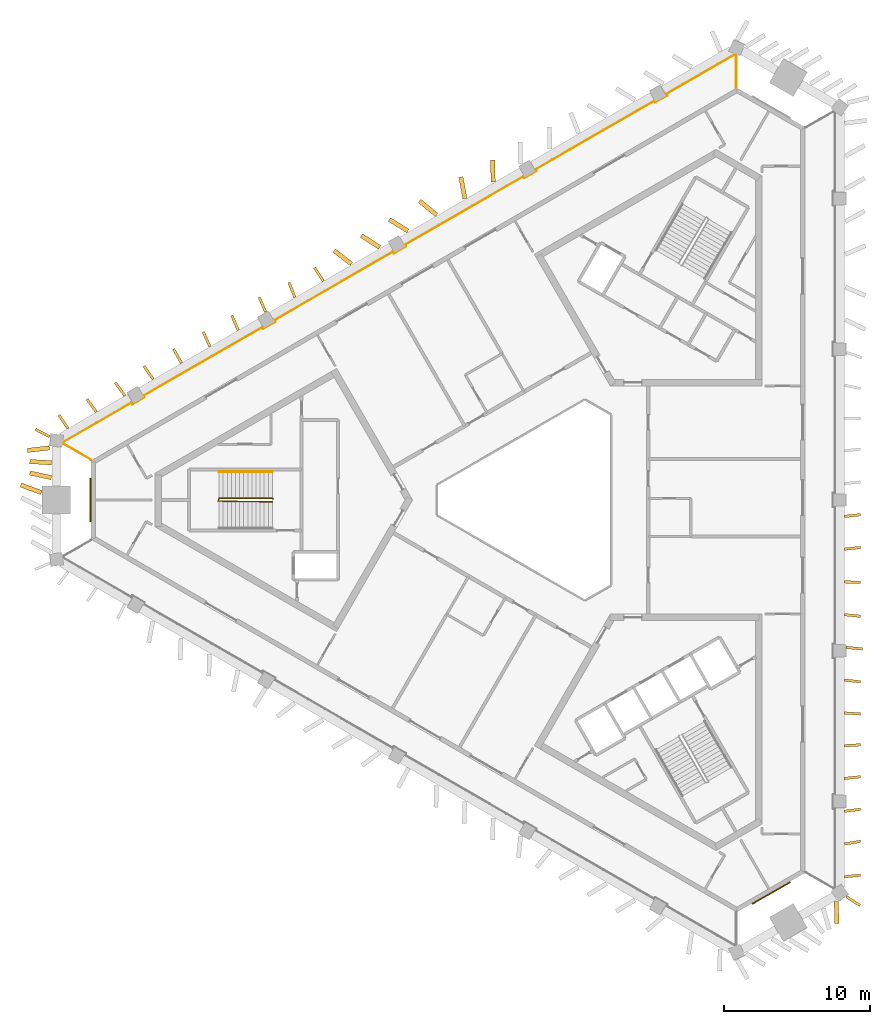
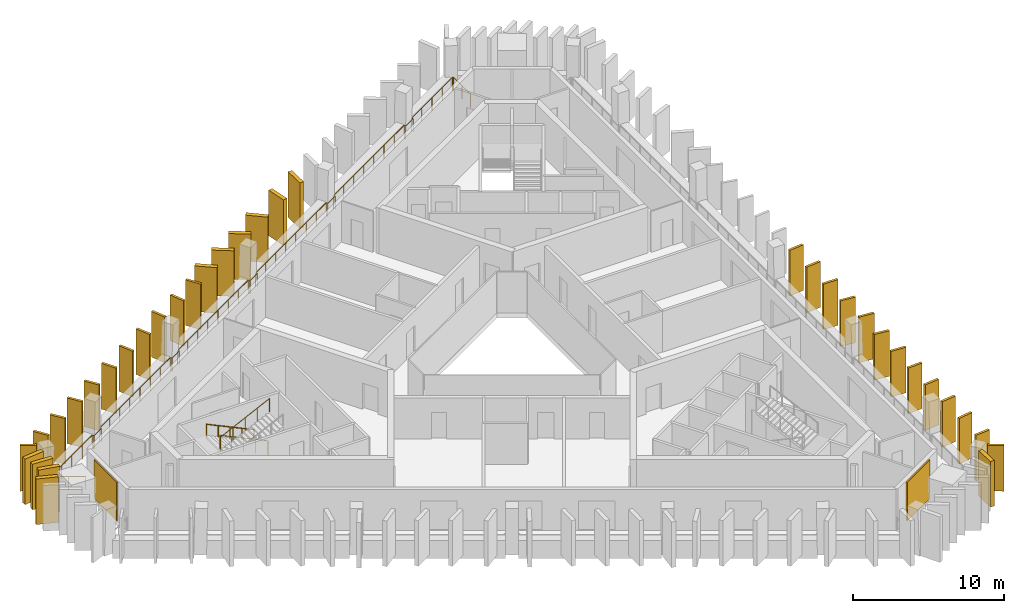
# One storey, part 8 of 9: 35 shading devices, 3 railings, 2 coverings.
"""IFC4 building model written with IfcOpenShell, lengths in metres."""

from ifc_helpers import new_model, si_unit, direction, frame, frame_2d, origin, origin_2d, place, context, subcontext, project, spatial, rectangle, circle, extrude, material, layer, layer_set, type_object, element, save


model = new_model("IFC4")

# Units and contexts
model_context = context("Model", 3, precision=1e-05, world=origin(), true_north=direction((0.0, 1.0)))
body_context = subcontext(model_context, "Body", "Model", "MODEL_VIEW")
ifc_project = project(units=[si_unit("LENGTHUNIT", "METRE"), si_unit("AREAUNIT", "SQUARE_METRE"), si_unit("VOLUMEUNIT", "CUBIC_METRE"), si_unit("PLANEANGLEUNIT", "RADIAN"), si_unit("MASSUNIT", "GRAM", prefix="KILO")], contexts=[model_context])

# Site, building, storey
site_placement = place(None, origin())
site = spatial("IfcSite", under=ifc_project, at=site_placement, CompositionType="ELEMENT")
building_placement = place(site_placement, origin())
building = spatial("IfcBuilding", under=site, at=building_placement, Name="Jabali Bay Hotel Tower and Convention Centre", CompositionType="ELEMENT")
storey_placement = place(building_placement, frame((0.0, 0.0, 220.60009765625)))
storey = spatial("IfcBuildingStorey", under=building, at=storey_placement, Name="L54", CompositionType="ELEMENT", Elevation=220.60009765625)

# Railing
ifc_material_1 = material(Name="Glass", Category="glass")
railing_type_1 = type_object("IfcRailingType", Name="Loggia glass guard 1100", PredefinedType="BALUSTRADE", material=ifc_material_1)
railing_1_placement = place(storey_placement, frame((44.04345703125, 82.740966796875, 0.0)))
element("IfcRailing", 1, at=railing_1_placement, inside=storey, type_object=railing_type_1, Name="Loggia glass guard L54", PredefinedType="BALUSTRADE", context=body_context, shape_type="SweptSolid", body=[
    extrude(circle(Radius=0.02490234375, at=origin_2d()), frame((0.0, 0.0, 1.0751953125), z_axis=(-0.866082486575, 0.499901116671, 0.0), x_axis=(-0.495624393318, -0.85867303084, 0.13052619222)), (0.0, 0.0, 1.0), 2.24755859375),
    extrude(circle(Radius=0.02490234375, at=origin_2d()), frame((-1.946533203125, 1.12353515625, 1.0751953125), z_axis=(0.120005554105, 0.99277322032, 0.0), x_axis=(-0.984279907796, 0.118978889953, 0.13052619222)), (0.0, 0.0, 1.0), 0.067138671875),
    extrude(circle(Radius=0.02490234375, at=origin_2d()), frame((-1.9384765625, 1.190185546875, 1.0751953125), z_axis=(0.866027681249, 0.499996055294, 0.0), x_axis=(-0.495718519729, 0.858618694382, 0.13052619222)), (0.0, 0.0, 1.0), 5.4326171875),
    extrude(circle(Radius=0.02490234375, at=origin_2d()), frame((2.766357421875, 3.906494140625, 1.0751953125), z_axis=(0.500342721131, -0.865827443207, 0.0), x_axis=(0.858420169404, 0.496062219791, 0.13052619222)), (0.0, 0.0, 1.0), 0.125),
    extrude(circle(Radius=0.02490234375, at=origin_2d()), frame((2.828857421875, 3.79833984375, 1.0751953125), z_axis=(0.866100000774, 0.49987077196, 0.0), x_axis=(-0.495594308211, 0.858690395203, 0.13052619222)), (0.0, 0.0, 1.0), 0.949951171875),
    extrude(circle(Radius=0.02490234375, at=origin_2d()), frame((3.651611328125, 4.273193359375, 1.0751953125), z_axis=(-0.499497219344, 0.8663154898, 0.0), x_axis=(-0.858904040691, -0.495223951389, 0.13052619222)), (0.0, 0.0, 1.0), 0.125244140625),
    extrude(circle(Radius=0.02490234375, at=origin_2d()), frame((3.589111328125, 4.381591796875, 1.0751953125), z_axis=(0.866030037437, 0.499991974193, 0.0), x_axis=(-0.495714473541, 0.858621030412, 0.13052619222)), (0.0, 0.0, 1.0), 9.357177734375),
    extrude(circle(Radius=0.02490234375, at=origin_2d()), frame((11.692626953125, 9.06005859375, 1.0751953125), z_axis=(0.500342721131, -0.865827443207, 0.0), x_axis=(0.858420169404, 0.496062219791, 0.13052619222)), (0.0, 0.0, 1.0), 0.125),
    extrude(circle(Radius=0.02490234375, at=origin_2d()), frame((11.755126953125, 8.951904296875, 1.0751953125), z_axis=(0.865988727248, 0.500063520245, 0.0), x_axis=(-0.495785407507, 0.858580073638, 0.13052619222)), (0.0, 0.0, 1.0), 0.9501953125),
    extrude(circle(Radius=0.02490234375, at=origin_2d()), frame((12.577880859375, 9.427001953125, 1.0751953125), z_axis=(-0.500342721131, 0.865827443207, 0.0), x_axis=(-0.858420169404, -0.496062219791, 0.13052619222)), (0.0, 0.0, 1.0), 0.125),
    extrude(circle(Radius=0.02490234375, at=origin_2d()), frame((12.515380859375, 9.53515625, 1.0751953125), z_axis=(0.866025262398, 0.500000244889, 0.0), x_axis=(-0.495722673481, 0.858616296224, 0.13052619222)), (0.0, 0.0, 1.0), 9.357421875),
    extrude(circle(Radius=0.02490234375, at=origin_2d()), frame((20.619140625, 14.2138671875, 1.0751953125), z_axis=(0.500342721131, -0.865827443207, 0.0), x_axis=(0.858420169404, 0.496062219791, 0.13052619222)), (0.0, 0.0, 1.0), 0.125),
    extrude(circle(Radius=0.02490234375, at=origin_2d()), frame((20.681640625, 14.105712890625, 1.0751953125), z_axis=(0.866100000774, 0.49987077196, 0.0), x_axis=(-0.495594308211, 0.858690395203, 0.13052619222)), (0.0, 0.0, 1.0), 0.949951171875),
    extrude(circle(Radius=0.02490234375, at=origin_2d()), frame((21.50439453125, 14.58056640625, 1.0751953125), z_axis=(-0.499497219344, 0.8663154898, 0.0), x_axis=(-0.858904040691, -0.495223951389, 0.13052619222)), (0.0, 0.0, 1.0), 0.125244140625),
    extrude(circle(Radius=0.02490234375, at=origin_2d()), frame((21.44189453125, 14.68896484375, 1.0751953125), z_axis=(0.866036559889, 0.499980676563, 0.0), x_axis=(-0.495703272564, 0.858627497064, 0.13052619222)), (0.0, 0.0, 1.0), 9.357177734375),
    extrude(circle(Radius=0.02490234375, at=origin_2d()), frame((29.545654296875, 19.367431640625, 1.0751953125), z_axis=(0.500342721131, -0.865827443207, 0.0), x_axis=(0.858420169404, 0.496062219791, 0.13052619222)), (0.0, 0.0, 1.0), 0.125),
    extrude(circle(Radius=0.02490234375, at=origin_2d()), frame((29.608154296875, 19.25927734375, 1.0751953125), z_axis=(0.865988727248, 0.500063520245, 0.0), x_axis=(-0.495785407507, 0.858580073638, 0.13052619222)), (0.0, 0.0, 1.0), 0.9501953125),
    extrude(circle(Radius=0.02490234375, at=origin_2d()), frame((30.430908203125, 19.734375, 1.0751953125), z_axis=(-0.500342721131, 0.865827443207, 0.0), x_axis=(-0.858420169404, -0.496062219791, 0.13052619222)), (0.0, 0.0, 1.0), 0.125),
    extrude(circle(Radius=0.02490234375, at=origin_2d()), frame((30.368408203125, 19.842529296875, 1.0751953125), z_axis=(0.866025262398, 0.500000244889, 0.0), x_axis=(-0.495722673481, 0.858616296224, 0.13052619222)), (0.0, 0.0, 1.0), 9.357421875),
    extrude(circle(Radius=0.02490234375, at=origin_2d()), frame((38.47216796875, 24.521240234375, 1.0751953125), z_axis=(0.500342721131, -0.865827443207, 0.0), x_axis=(0.858420169404, 0.496062219791, 0.13052619222)), (0.0, 0.0, 1.0), 0.125),
    extrude(circle(Radius=0.02490234375, at=origin_2d()), frame((38.53466796875, 24.4130859375, 1.0751953125), z_axis=(0.866035761792, 0.499982058975, 0.0), x_axis=(-0.49570464315, 0.858626705795, 0.13052619222)), (0.0, 0.0, 1.0), 0.94970703125),
    extrude(circle(Radius=0.02490234375, at=origin_2d()), frame((39.357177734375, 24.887939453125, 1.0751953125), z_axis=(-0.499497219344, 0.8663154898, 0.0), x_axis=(-0.858904040691, -0.495223951389, 0.13052619222)), (0.0, 0.0, 1.0), 0.125244140625),
    extrude(circle(Radius=0.02490234375, at=origin_2d()), frame((39.294677734375, 24.996337890625, 1.0751953125), z_axis=(0.866047140271, 0.499962349412, 0.0), x_axis=(-0.495685102204, 0.858637986929, 0.13052619222)), (0.0, 0.0, 1.0), 5.4326171875),
    extrude(circle(Radius=0.02490234375, at=origin_2d()), frame((43.99951171875, 27.71240234375, 1.0751953125), z_axis=(0.921017487124, -0.389521229732, 0.0), x_axis=(0.386188821614, 0.913138054844, 0.13052619222)), (0.0, 0.0, 1.0), 0.067138671875),
    extrude(circle(Radius=0.02490234375, at=origin_2d()), frame((44.061279296875, 27.686279296875, 1.0751953125), z_axis=(0.0, -1.0, 0.0), x_axis=(0.991444861374, 0.0, 0.13052619222)), (0.0, 0.0, 1.0), 2.24755859375),
    extrude(circle(Radius=0.02001953125, at=origin_2d()), origin(), (0.0, 0.0, 1.0), 1.050048828125),
    extrude(circle(Radius=0.02001953125, at=origin_2d()), frame((-0.97314453125, 0.561767578125, 0.0)), (0.0, 0.0, 1.0), 1.050048828125),
    extrude(circle(Radius=0.02001953125, at=origin_2d()), frame((-1.946533203125, 1.12353515625, 0.0)), (0.0, 0.0, 1.0), 1.050048828125),
    extrude(circle(Radius=0.02001953125, at=origin_2d()), frame((-1.9384765625, 1.190185546875, 0.0)), (0.0, 0.0, 1.0), 1.050048828125),
    extrude(circle(Radius=0.02001953125, at=origin_2d()), frame((-0.76220703125, 1.869140625, 0.0)), (0.0, 0.0, 1.0), 1.050048828125),
    extrude(circle(Radius=0.02001953125, at=origin_2d()), frame((0.4140625, 2.54833984375, 0.0)), (0.0, 0.0, 1.0), 1.050048828125),
    extrude(circle(Radius=0.02001953125, at=origin_2d()), frame((1.590087890625, 3.2275390625, 0.0)), (0.0, 0.0, 1.0), 1.050048828125),
    extrude(circle(Radius=0.02001953125, at=origin_2d()), frame((2.766357421875, 3.906494140625, 0.0)), (0.0, 0.0, 1.0), 1.050048828125),
    extrude(circle(Radius=0.02001953125, at=origin_2d()), frame((2.828857421875, 3.79833984375, 0.0)), (0.0, 0.0, 1.0), 1.050048828125),
    extrude(circle(Radius=0.02001953125, at=origin_2d()), frame((3.651611328125, 4.273193359375, 0.0)), (0.0, 0.0, 1.0), 1.050048828125),
    extrude(circle(Radius=0.02001953125, at=origin_2d()), frame((3.589111328125, 4.381591796875, 0.0)), (0.0, 0.0, 1.0), 1.050048828125),
    extrude(circle(Radius=0.02001953125, at=origin_2d()), frame((4.746826171875, 5.050048828125, 0.0)), (0.0, 0.0, 1.0), 1.050048828125),
    extrude(circle(Radius=0.02001953125, at=origin_2d()), frame((5.904296875, 5.71826171875, 0.0)), (0.0, 0.0, 1.0), 1.050048828125),
    extrude(circle(Radius=0.02001953125, at=origin_2d()), frame((7.06201171875, 6.38671875, 0.0)), (0.0, 0.0, 1.0), 1.050048828125),
    extrude(circle(Radius=0.02001953125, at=origin_2d()), frame((8.2197265625, 7.054931640625, 0.0)), (0.0, 0.0, 1.0), 1.050048828125),
    extrude(circle(Radius=0.02001953125, at=origin_2d()), frame((9.37744140625, 7.723388671875, 0.0)), (0.0, 0.0, 1.0), 1.050048828125),
    extrude(circle(Radius=0.02001953125, at=origin_2d()), frame((10.534912109375, 8.3916015625, 0.0)), (0.0, 0.0, 1.0), 1.050048828125),
    extrude(circle(Radius=0.02001953125, at=origin_2d()), frame((11.692626953125, 9.06005859375, 0.0)), (0.0, 0.0, 1.0), 1.050048828125),
    extrude(circle(Radius=0.02001953125, at=origin_2d()), frame((11.755126953125, 8.951904296875, 0.0)), (0.0, 0.0, 1.0), 1.050048828125),
    extrude(circle(Radius=0.02001953125, at=origin_2d()), frame((12.577880859375, 9.427001953125, 0.0)), (0.0, 0.0, 1.0), 1.050048828125),
    extrude(circle(Radius=0.02001953125, at=origin_2d()), frame((12.515380859375, 9.53515625, 0.0)), (0.0, 0.0, 1.0), 1.050048828125),
    extrude(circle(Radius=0.02001953125, at=origin_2d()), frame((13.673095703125, 10.20361328125, 0.0)), (0.0, 0.0, 1.0), 1.050048828125),
    extrude(circle(Radius=0.02001953125, at=origin_2d()), frame((14.830810546875, 10.871826171875, 0.0)), (0.0, 0.0, 1.0), 1.050048828125),
    extrude(circle(Radius=0.02001953125, at=origin_2d()), frame((15.988525390625, 11.540283203125, 0.0)), (0.0, 0.0, 1.0), 1.050048828125),
    extrude(circle(Radius=0.02001953125, at=origin_2d()), frame((17.14599609375, 12.208740234375, 0.0)), (0.0, 0.0, 1.0), 1.050048828125),
    extrude(circle(Radius=0.02001953125, at=origin_2d()), frame((18.3037109375, 12.877197265625, 0.0)), (0.0, 0.0, 1.0), 1.050048828125),
    extrude(circle(Radius=0.02001953125, at=origin_2d()), frame((19.46142578125, 13.54541015625, 0.0)), (0.0, 0.0, 1.0), 1.050048828125),
    extrude(circle(Radius=0.02001953125, at=origin_2d()), frame((20.619140625, 14.2138671875, 0.0)), (0.0, 0.0, 1.0), 1.050048828125),
    extrude(circle(Radius=0.02001953125, at=origin_2d()), frame((20.681640625, 14.105712890625, 0.0)), (0.0, 0.0, 1.0), 1.050048828125),
    extrude(circle(Radius=0.02001953125, at=origin_2d()), frame((21.50439453125, 14.58056640625, 0.0)), (0.0, 0.0, 1.0), 1.050048828125),
    extrude(circle(Radius=0.02001953125, at=origin_2d()), frame((21.44189453125, 14.68896484375, 0.0)), (0.0, 0.0, 1.0), 1.050048828125),
    extrude(circle(Radius=0.02001953125, at=origin_2d()), frame((22.599609375, 15.357421875, 0.0)), (0.0, 0.0, 1.0), 1.050048828125),
    extrude(circle(Radius=0.02001953125, at=origin_2d()), frame((23.75732421875, 16.025634765625, 0.0)), (0.0, 0.0, 1.0), 1.050048828125),
    extrude(circle(Radius=0.02001953125, at=origin_2d()), frame((24.9150390625, 16.694091796875, 0.0)), (0.0, 0.0, 1.0), 1.050048828125),
    extrude(circle(Radius=0.02001953125, at=origin_2d()), frame((26.072509765625, 17.3623046875, 0.0)), (0.0, 0.0, 1.0), 1.050048828125),
    extrude(circle(Radius=0.02001953125, at=origin_2d()), frame((27.230224609375, 18.03076171875, 0.0)), (0.0, 0.0, 1.0), 1.050048828125),
    extrude(circle(Radius=0.02001953125, at=origin_2d()), frame((28.387939453125, 18.698974609375, 0.0)), (0.0, 0.0, 1.0), 1.050048828125),
    extrude(circle(Radius=0.02001953125, at=origin_2d()), frame((29.545654296875, 19.367431640625, 0.0)), (0.0, 0.0, 1.0), 1.050048828125),
    extrude(circle(Radius=0.02001953125, at=origin_2d()), frame((29.608154296875, 19.25927734375, 0.0)), (0.0, 0.0, 1.0), 1.050048828125),
    extrude(circle(Radius=0.02001953125, at=origin_2d()), frame((30.430908203125, 19.734375, 0.0)), (0.0, 0.0, 1.0), 1.050048828125),
    extrude(circle(Radius=0.02001953125, at=origin_2d()), frame((30.368408203125, 19.842529296875, 0.0)), (0.0, 0.0, 1.0), 1.050048828125),
    extrude(circle(Radius=0.02001953125, at=origin_2d()), frame((31.526123046875, 20.510986328125, 0.0)), (0.0, 0.0, 1.0), 1.050048828125),
    extrude(circle(Radius=0.02001953125, at=origin_2d()), frame((32.683837890625, 21.17919921875, 0.0)), (0.0, 0.0, 1.0), 1.050048828125),
    extrude(circle(Radius=0.02001953125, at=origin_2d()), frame((33.841552734375, 21.84765625, 0.0)), (0.0, 0.0, 1.0), 1.050048828125),
    extrude(circle(Radius=0.02001953125, at=origin_2d()), frame((34.9990234375, 22.51611328125, 0.0)), (0.0, 0.0, 1.0), 1.050048828125),
    extrude(circle(Radius=0.02001953125, at=origin_2d()), frame((36.15673828125, 23.1845703125, 0.0)), (0.0, 0.0, 1.0), 1.050048828125),
    extrude(circle(Radius=0.02001953125, at=origin_2d()), frame((37.314453125, 23.852783203125, 0.0)), (0.0, 0.0, 1.0), 1.050048828125),
    extrude(circle(Radius=0.02001953125, at=origin_2d()), frame((38.47216796875, 24.521240234375, 0.0)), (0.0, 0.0, 1.0), 1.050048828125),
    extrude(circle(Radius=0.02001953125, at=origin_2d()), frame((38.53466796875, 24.4130859375, 0.0)), (0.0, 0.0, 1.0), 1.050048828125),
    extrude(circle(Radius=0.02001953125, at=origin_2d()), frame((39.357177734375, 24.887939453125, 0.0)), (0.0, 0.0, 1.0), 1.050048828125),
    extrude(circle(Radius=0.02001953125, at=origin_2d()), frame((39.294677734375, 24.996337890625, 0.0)), (0.0, 0.0, 1.0), 1.050048828125),
    extrude(circle(Radius=0.02001953125, at=origin_2d()), frame((40.470947265625, 25.67529296875, 0.0)), (0.0, 0.0, 1.0), 1.050048828125),
    extrude(circle(Radius=0.02001953125, at=origin_2d()), frame((41.64697265625, 26.3544921875, 0.0)), (0.0, 0.0, 1.0), 1.050048828125),
    extrude(circle(Radius=0.02001953125, at=origin_2d()), frame((42.8232421875, 27.033447265625, 0.0)), (0.0, 0.0, 1.0), 1.050048828125),
    extrude(circle(Radius=0.02001953125, at=origin_2d()), frame((43.99951171875, 27.71240234375, 0.0)), (0.0, 0.0, 1.0), 1.050048828125),
    extrude(circle(Radius=0.02001953125, at=origin_2d()), frame((44.061279296875, 27.686279296875, 0.0)), (0.0, 0.0, 1.0), 1.050048828125),
    extrude(circle(Radius=0.02001953125, at=origin_2d()), frame((44.061279296875, 26.5625, 0.0)), (0.0, 0.0, 1.0), 1.050048828125),
    extrude(circle(Radius=0.02001953125, at=origin_2d()), frame((44.061279296875, 25.438720703125, 0.0)), (0.0, 0.0, 1.0), 1.050048828125),
])

# Shading devices
ifc_material_2 = material(Name="Precast concrete C60", Category="concrete")
ifc_layer_1 = layer(ifc_material_2, 0.179931640625)
ifc_layer_set_1 = layer_set([ifc_layer_1], Name="Precast concrete C60")
shading_device_type_1 = type_object("IfcShadingDeviceType", Name="Precast fin 3680 x 1100", PredefinedType="USERDEFINED", material=ifc_layer_set_1)
for number, where, z_axis, x_axis, name in (
    (2, (95.503173828125, 54.265625, 0.010009765625), (0.0, 0.0, 1.0), (0.99532733104, 0.096558293712, 0.0), "Fin L54 000"),
    (3, (95.50927734375, 56.50341796875, 0.010009765625), (0.0, 0.0, 1.0), (0.986381923469, 0.164470973288, 0.0), "Fin L54 001"),
    (4, (95.50537109375, 58.7412109375, 0.010009765625), (0.0, 0.0, 1.0), (0.992602227992, 0.121411766259, 0.0), "Fin L54 002"),
    (5, (95.504150390625, 60.97900390625, 0.010009765625), (0.0, 0.0, 1.0), (0.994164661671, 0.107873191688, 0.0), "Fin L54 003"),
):
    element("IfcShadingDevice", number, at=place(storey_placement, frame(where, z_axis=z_axis, x_axis=x_axis)), inside=storey, type_object=shading_device_type_1, Name=name, ObjectType="FIN", PredefinedType="USERDEFINED", context=body_context, shape_type="SweptSolid", body=[
        extrude(rectangle(XDim=1.099853515625, YDim=0.179931640625, at=frame_2d((0.5498046875, 0.0))), origin(), (0.0, 0.0, 1.0), 3.679931640625),
    ])
shading_device_1_placement = place(storey_placement, frame((95.499267578125, 63.216796875, 0.010009765625), z_axis=(0.0, 0.0, 1.0), x_axis=(0.99848416118, 0.055039802617, 0.0)))
element("IfcShadingDevice", 6, at=shading_device_1_placement, inside=storey, type_object=shading_device_type_1, Name="Fin L54 004", ObjectType="FIN", PredefinedType="USERDEFINED", context=body_context, shape_type="SweptSolid", body=[
    extrude(rectangle(XDim=1.10009765625, YDim=0.179931640625, at=frame_2d((0.550048828125, 0.0))), origin(), (0.0, 0.0, 1.0), 3.679931640625),
])
shading_device_2_placement = place(storey_placement, frame((95.50048828125, 65.454345703125, 0.010009765625), z_axis=(0.0, 0.0, 1.0), x_axis=(0.997794969053, -0.066371678698, 0.0)))
element("IfcShadingDevice", 7, at=shading_device_2_placement, inside=storey, type_object=shading_device_type_1, Name="Fin L54 005", ObjectType="FIN", PredefinedType="USERDEFINED", context=body_context, shape_type="SweptSolid", body=[
    extrude(rectangle(XDim=1.099853515625, YDim=0.179931640625, at=frame_2d((0.5498046875, 0.0))), origin(), (0.0, 0.0, 1.0), 3.679931640625),
])
for number, where, z_axis, x_axis, name in (
    (8, (95.50341796875, 67.692138671875, 0.010009765625), (0.0, 0.0, 1.0), (0.994866565469, -0.101195439182, 0.0), "Fin L54 006"),
    (9, (95.635986328125, 69.929931640625, 0.010009765625), (0.0, 0.0, 1.0), (0.994888883713, -0.100975784539, 0.0), "Fin L54 007"),
    (10, (95.50341796875, 72.167724609375, 0.010009765625), (0.0, 0.0, 1.0), (0.994888883713, -0.100975784539, 0.0), "Fin L54 008"),
    (11, (95.496826171875, 74.405517578125, 0.010009765625), (0.0, 0.0, 1.0), (0.999656984491, -0.02618994764, 0.0), "Fin L54 009"),
):
    element("IfcShadingDevice", number, at=place(storey_placement, frame(where, z_axis=z_axis, x_axis=x_axis)), inside=storey, type_object=shading_device_type_1, Name=name, ObjectType="FIN", PredefinedType="USERDEFINED", context=body_context, shape_type="SweptSolid", body=[
        extrude(rectangle(XDim=1.10009765625, YDim=0.179931640625, at=frame_2d((0.550048828125, 0.0))), origin(), (0.0, 0.0, 1.0), 3.679931640625),
    ])
shading_device_3_placement = place(storey_placement, frame((95.503662109375, 76.643310546875, 0.010009765625), z_axis=(0.0, 0.0, 1.0), x_axis=(0.994819493518, 0.101657145924, 0.0)))
element("IfcShadingDevice", 12, at=shading_device_3_placement, inside=storey, type_object=shading_device_type_1, Name="Fin L54 010", ObjectType="FIN", PredefinedType="USERDEFINED", context=body_context, shape_type="SweptSolid", body=[
    extrude(rectangle(XDim=1.099853515625, YDim=0.179931640625, at=frame_2d((0.5498046875, 0.0))), origin(), (0.0, 0.0, 1.0), 3.679931640625),
])
shading_device_4_placement = place(storey_placement, frame((95.503662109375, 78.881103515625, 0.010009765625), z_axis=(0.0, 0.0, 1.0), x_axis=(0.994751939421, 0.10231607409, 0.0)))
element("IfcShadingDevice", 13, at=shading_device_4_placement, inside=storey, type_object=shading_device_type_1, Name="Fin L54 011", ObjectType="FIN", PredefinedType="USERDEFINED", context=body_context, shape_type="SweptSolid", body=[
    extrude(rectangle(XDim=1.10009765625, YDim=0.179931640625, at=frame_2d((0.550048828125, 0.0))), origin(), (0.0, 0.0, 1.0), 3.679931640625),
])
for number, where, z_axis, x_axis, name in (
    (14, (59.905029296875, 94.956298828125, 0.010009765625), (0.0, 0.0, 1.0), (-0.551571764695, 0.834127441337, 0.0), "Fin L54 046"),
    (15, (57.9638671875, 93.84326171875, 0.010009765625), (0.0, 0.0, 1.0), (-0.377811563667, 0.925882510019, 0.0), "Fin L54 047"),
):
    element("IfcShadingDevice", number, at=place(storey_placement, frame(where, z_axis=z_axis, x_axis=x_axis)), inside=storey, type_object=shading_device_type_1, Name=name, ObjectType="FIN", PredefinedType="USERDEFINED", context=body_context, shape_type="SweptSolid", body=[
        extrude(rectangle(XDim=1.099853515625, YDim=0.179931640625, at=frame_2d((0.5498046875, 0.0))), origin(), (0.0, 0.0, 1.0), 3.679931640625),
    ])
for number, where, z_axis, x_axis, name in (
    (16, (55.96044921875, 92.837646484375, 0.010009765625), (0.0, 0.0, 1.0), (-0.394615629049, 0.918846290361, 0.0), "Fin L54 048"),
    (17, (54.089111328125, 91.60302734375, 0.010009765625), (0.0, 0.0, 1.0), (-0.404820126816, 0.914396339081, 0.0), "Fin L54 049"),
    (18, (52.151611328125, 90.483642578125, 0.010009765625), (0.0, 0.0, 1.0), (-0.41144401192, 0.911435036114, 0.0), "Fin L54 050"),
):
    element("IfcShadingDevice", number, at=place(storey_placement, frame(where, z_axis=z_axis, x_axis=x_axis)), inside=storey, type_object=shading_device_type_1, Name=name, ObjectType="FIN", PredefinedType="USERDEFINED", context=body_context, shape_type="SweptSolid", body=[
        extrude(rectangle(XDim=1.10009765625, YDim=0.179931640625, at=frame_2d((0.550048828125, 0.0))), origin(), (0.0, 0.0, 1.0), 3.679931640625),
    ])
for number, where, z_axis, x_axis, name in (
    (19, (50.2177734375, 89.357177734375, 0.010009765625), (0.0, 0.0, 1.0), (-0.497620183385, 0.867395038657, 0.0), "Fin L54 051"),
    (20, (48.276123046875, 88.244873046875, 0.010009765625), (0.0, 0.0, 1.0), (-0.571792661688, 0.82039816677, 0.0), "Fin L54 052"),
    (21, (46.33740234375, 87.127197265625, 0.010009765625), (0.0, 0.0, 1.0), (-0.584906870827, 0.811100457686, 0.0), "Fin L54 053"),
):
    element("IfcShadingDevice", number, at=place(storey_placement, frame(where, z_axis=z_axis, x_axis=x_axis)), inside=storey, type_object=shading_device_type_1, Name=name, ObjectType="FIN", PredefinedType="USERDEFINED", context=body_context, shape_type="SweptSolid", body=[
        extrude(rectangle(XDim=1.099853515625, YDim=0.179931640625, at=frame_2d((0.5498046875, 0.0))), origin(), (0.0, 0.0, 1.0), 3.679931640625),
    ])
shading_device_5_placement = place(storey_placement, frame((44.399658203125, 86.00830078125, 0.010009765625), z_axis=(0.0, 0.0, 1.0), x_axis=(-0.585052876865, 0.810995148735, 0.0)))
element("IfcShadingDevice", 22, at=shading_device_5_placement, inside=storey, type_object=shading_device_type_1, Name="Fin L54 054", ObjectType="FIN", PredefinedType="USERDEFINED", context=body_context, shape_type="SweptSolid", body=[
    extrude(rectangle(XDim=1.10009765625, YDim=0.179931640625, at=frame_2d((0.550048828125, 0.0))), origin(), (0.0, 0.0, 1.0), 3.679931640625),
])
for number, where, z_axis, x_axis, name in (
    (23, (42.462646484375, 84.887451171875, 0.010009765625), (0.0, 0.0, 1.0), (-0.564445179893, 0.825470556044, 0.0), "Fin L54 055"),
    (24, (95.63134765625, 52.898681640625, 0.010009765625), (0.0, 0.0, 1.0), (0.843213364017, -0.537579038602, 0.0), "Fin L54 096"),
):
    element("IfcShadingDevice", number, at=place(storey_placement, frame(where, z_axis=z_axis, x_axis=x_axis)), inside=storey, type_object=shading_device_type_1, Name=name, ObjectType="FIN", PredefinedType="USERDEFINED", context=body_context, shape_type="SweptSolid", body=[
        extrude(rectangle(XDim=1.099853515625, YDim=0.179931640625, at=frame_2d((0.5498046875, 0.0))), origin(), (0.0, 0.0, 1.0), 3.679931640625),
    ])
shading_device_6_placement = place(storey_placement, frame((41.213623046875, 84.31689453125, 0.010009765625), z_axis=(0.0, 0.0, 1.0), x_axis=(-0.885557702567, 0.464529391346, 0.0)))
element("IfcShadingDevice", 25, at=shading_device_6_placement, inside=storey, type_object=shading_device_type_1, Name="Fin L54 099", ObjectType="FIN", PredefinedType="USERDEFINED", context=body_context, shape_type="SweptSolid", body=[
    extrude(rectangle(XDim=1.10009765625, YDim=0.179931640625, at=frame_2d((0.550048828125, 0.0))), origin(), (0.0, 0.0, 1.0), 3.679931640625),
])
ifc_layer_2 = layer(ifc_material_2, 0.300048828125)
ifc_layer_set_2 = layer_set([ifc_layer_2], Name="Precast concrete C60")
shading_device_type_2 = type_object("IfcShadingDeviceType", Name="Precast fin 3680 x 1500", PredefinedType="USERDEFINED", material=ifc_layer_set_2)
for number, where, z_axis, x_axis, name in (
    (26, (71.49951171875, 101.727294921875, 0.010009765625), (0.0, 0.0, 1.0), (-0.020344152619, 0.99979303631, 0.0), "Fin L54 040"),
    (27, (69.572998046875, 100.5888671875, 0.010009765625), (0.0, 0.0, 1.0), (-0.185713290806, 0.982603975983, 0.0), "Fin L54 041"),
):
    element("IfcShadingDevice", number, at=place(storey_placement, frame(where, z_axis=z_axis, x_axis=x_axis)), inside=storey, type_object=shading_device_type_2, Name=name, ObjectType="FIN", PredefinedType="USERDEFINED", context=body_context, shape_type="SweptSolid", body=[
        extrude(rectangle(XDim=1.5, YDim=0.300048828125, at=frame_2d((0.75, 0.0))), origin(), (0.0, 0.0, 1.0), 3.679931640625),
    ])
for number, where, z_axis, x_axis, name in (
    (28, (67.633544921875, 99.472412109375, 0.010009765625), (0.0, 0.0, 1.0), (-0.771704702331, 0.635981015755, 0.0), "Fin L54 042"),
    (29, (65.686279296875, 98.369873046875, 0.010009765625), (0.0, 0.0, 1.0), (-0.851490637072, 0.524369807463, 0.0), "Fin L54 043"),
    (30, (63.75, 97.247802734375, 0.010009765625), (0.0, 0.0, 1.0), (-0.837147321714, 0.546977478282, 0.0), "Fin L54 044"),
):
    element("IfcShadingDevice", number, at=place(storey_placement, frame(where, z_axis=z_axis, x_axis=x_axis)), inside=storey, type_object=shading_device_type_2, Name=name, ObjectType="FIN", PredefinedType="USERDEFINED", context=body_context, shape_type="SweptSolid", body=[
        extrude(rectangle(XDim=1.500244140625, YDim=0.300048828125, at=frame_2d((0.75, 0.0))), origin(), (0.0, 0.0, 1.0), 3.679931640625),
    ])
shading_device_7_placement = place(storey_placement, frame((61.817626953125, 96.119140625, 0.010009765625), z_axis=(0.0, 0.0, 1.0), x_axis=(-0.788387032229, 0.61517955705, 0.0)))
element("IfcShadingDevice", 31, at=shading_device_7_placement, inside=storey, type_object=shading_device_type_2, Name="Fin L54 045", ObjectType="FIN", PredefinedType="USERDEFINED", context=body_context, shape_type="SweptSolid", body=[
    extrude(rectangle(XDim=1.499755859375, YDim=0.300048828125, at=frame_2d((0.75, 0.0))), origin(), (0.0, 0.0, 1.0), 3.679931640625),
])
for number, where, z_axis, x_axis, name in (
    (32, (41.186279296875, 83.56005859375, 0.010009765625), (0.0, 0.0, 1.0), (-0.993319533971, -0.115396288642, 0.0), "Fin L54 056"),
    (33, (41.348388671875, 82.54296875, 0.010009765625), (0.0, 0.0, 1.0), (-0.99852133529, 0.05436122673, 0.0), "Fin L54 057"),
    (34, (41.32470703125, 81.52587890625, 0.010009765625), (0.0, 0.0, 1.0), (-0.977217476563, 0.212240437948, 0.0), "Fin L54 058"),
    (35, (40.642333984375, 80.508544921875, 0.010009765625), (0.0, 0.0, 1.0), (-0.938767553574, 0.3445511288, 0.0), "Fin L54 059"),
):
    element("IfcShadingDevice", number, at=place(storey_placement, frame(where, z_axis=z_axis, x_axis=x_axis)), inside=storey, type_object=shading_device_type_2, Name=name, ObjectType="FIN", PredefinedType="USERDEFINED", context=body_context, shape_type="SweptSolid", body=[
        extrude(rectangle(XDim=1.5, YDim=0.300048828125, at=frame_2d((0.75, 0.0))), origin(), (0.0, 0.0, 1.0), 3.679931640625),
    ])
shading_device_8_placement = place(storey_placement, frame((94.941162109375, 52.581298828125, 0.010009765625), z_axis=(0.0, 0.0, 1.0), x_axis=(0.020347463549, -0.999792968933, 0.0)))
element("IfcShadingDevice", 36, at=shading_device_8_placement, inside=storey, type_object=shading_device_type_2, Name="Fin L54 095", ObjectType="FIN", PredefinedType="USERDEFINED", context=body_context, shape_type="SweptSolid", body=[
    extrude(rectangle(XDim=1.499755859375, YDim=0.300048828125, at=frame_2d((0.75, 0.0))), origin(), (0.0, 0.0, 1.0), 3.679931640625),
])

# Coverings
ifc_material_3 = material(Name="Precast concrete C40/50", Category="concrete")
ifc_layer_3 = layer(ifc_material_3, 0.080078125)
ifc_layer_set_3 = layer_set([ifc_layer_3], Name="Precast concrete C40/50")
covering_type = type_object("IfcCoveringType", Name="Relief panel 3000 x 3100", PredefinedType="CLADDING", material=ifc_layer_set_3)
for number, where, z_axis, x_axis, name in (
    (37, (44.00341796875, 80.0, 0.099853515625), (0.0, 0.0, 1.0), (0.0, 1.0, 0.0), "Relief panel L54"),
    (38, (90.498291015625, 53.156005859375, 0.099853515625), (0.0, 0.0, 1.0), (-0.8660253971, -0.500000011578, 0.0), "Relief panel L54"),
):
    element("IfcCovering", number, at=place(storey_placement, frame(where, z_axis=z_axis, x_axis=x_axis)), inside=storey, type_object=covering_type, Name=name, PredefinedType="CLADDING", context=body_context, shape_type="SweptSolid", body=[
        extrude(rectangle(XDim=3.0, YDim=0.080078125, at=origin_2d()), origin(), (0.0, 0.0, 1.0), 3.10009765625),
    ])

# Railings
ifc_material_4 = material(Name="Steel Q355B", Category="steel")
railing_type_2 = type_object("IfcRailingType", Name="Stair guard 1100", PredefinedType="GUARDRAIL", material=ifc_material_4)
railing_2_placement = place(storey_placement, frame((56.469970703125, 80.074951171875, 0.0)))
element("IfcRailing", 39, at=railing_2_placement, inside=storey, type_object=railing_type_2, Name="L54 ST1 stair guard 1", PredefinedType="GUARDRAIL", context=body_context, shape_type="SweptSolid", body=[
    extrude(circle(Radius=0.02392578125, at=origin_2d()), frame((0.0, 0.0, 1.076171875), z_axis=(-0.333993628408, 0.333993628408, 0.881417331555), x_axis=(-0.707106781187, -0.707106781187, 0.0)), (0.0, 0.0, 1.0), 0.14990234375),
    extrude(circle(Radius=0.02392578125, at=origin_2d()), frame((-0.050048828125, 0.050048828125, 1.2080078125), z_axis=(-0.904350763662, 0.0, 0.426789990819), x_axis=(0.0, -1.0, 0.0)), (0.0, 0.0, 1.0), 4.02490234375),
    extrude(circle(Radius=0.02392578125, at=origin_2d()), frame((-3.68994140625, 0.050048828125, 2.92578125), z_axis=(-0.242814311512, -0.970072785993, 0.0), x_axis=(0.970072785993, -0.242814311512, 0.0)), (0.0, 0.0, 1.0), 0.2060546875),
    extrude(circle(Radius=0.02392578125, at=origin_2d()), frame((-3.739990234375, -0.14990234375, 2.92578125), z_axis=(0.893864111827, -0.012124000458, 0.448174026692), x_axis=(0.013562335953, 0.999908027292, 0.0)), (0.0, 0.0, 1.0), 4.128173828125),
    extrude(circle(Radius=0.02099609375, at=origin_2d()), origin(), (0.0, 0.0, 1.0), 1.052001953125),
    extrude(circle(Radius=0.02099609375, at=origin_2d()), frame((-0.050048828125, 0.050048828125, 0.132080078125)), (0.0, 0.0, 1.0), 1.052001953125),
    extrude(circle(Radius=0.02099609375, at=origin_2d()), frame((-0.9599609375, 0.050048828125, 0.5615234375)), (0.0, 0.0, 1.0), 1.052001953125),
    extrude(circle(Radius=0.02099609375, at=origin_2d()), frame((-1.8701171875, 0.050048828125, 0.990966796875)), (0.0, 0.0, 1.0), 1.052001953125),
    extrude(circle(Radius=0.02099609375, at=origin_2d()), frame((-2.780029296875, 0.050048828125, 1.42041015625)), (0.0, 0.0, 1.0), 1.052001953125),
    extrude(circle(Radius=0.02099609375, at=origin_2d()), frame((-3.68994140625, 0.050048828125, 1.849853515625)), (0.0, 0.0, 1.0), 1.052001953125),
    extrude(circle(Radius=0.02099609375, at=origin_2d()), frame((-3.739990234375, -0.14990234375, 1.849853515625)), (0.0, 0.0, 1.0), 1.052001953125),
    extrude(circle(Radius=0.02099609375, at=origin_2d()), frame((-2.8173828125, -0.162353515625, 2.3125)), (0.0, 0.0, 1.0), 1.052001953125),
    extrude(circle(Radius=0.02099609375, at=origin_2d()), frame((-1.89501953125, -0.1748046875, 2.77490234375)), (0.0, 0.0, 1.0), 1.052001953125),
    extrude(circle(Radius=0.02099609375, at=origin_2d()), frame((-0.97265625, -0.1875, 3.2373046875)), (0.0, 0.0, 1.0), 1.052001953125),
    extrude(circle(Radius=0.02099609375, at=origin_2d()), frame((-0.050048828125, -0.199951171875, 3.699951171875)), (0.0, 0.0, 1.0), 1.052001953125),
])
railing_type_3 = type_object("IfcRailingType", Name="Stair handrail 900", PredefinedType="HANDRAIL", material=ifc_material_4)
railing_3_placement = place(storey_placement, frame((56.419921875, 81.925048828125, 0.132080078125)))
element("IfcRailing", 40, at=railing_3_placement, inside=storey, type_object=railing_type_3, Name="L54 ST1 stair handrail 1", PredefinedType="HANDRAIL", context=body_context, shape_type="SweptSolid", body=[
    extrude(circle(Radius=0.02392578125, at=origin_2d()), frame((0.0, 0.0, 0.8759765625), z_axis=(-0.904350763662, 0.0, 0.426789990819), x_axis=(0.0, -1.0, 0.0)), (0.0, 0.0, 1.0), 4.02490234375),
    extrude(circle(Radius=0.02099609375, at=origin_2d()), origin(), (0.0, 0.0, 1.0), 0.851806640625),
    extrude(circle(Radius=0.02099609375, at=origin_2d()), frame((-0.909912109375, 0.0, 0.429443359375)), (0.0, 0.0, 1.0), 0.851806640625),
    extrude(circle(Radius=0.02099609375, at=origin_2d()), frame((-1.81982421875, 0.0, 0.85888671875)), (0.0, 0.0, 1.0), 0.851806640625),
    extrude(circle(Radius=0.02099609375, at=origin_2d()), frame((-2.72998046875, 0.0, 1.288330078125)), (0.0, 0.0, 1.0), 0.851806640625),
    extrude(circle(Radius=0.02099609375, at=origin_2d()), frame((-3.639892578125, 0.0, 1.7177734375)), (0.0, 0.0, 1.0), 0.851806640625),
])

save(model, "model.ifc")
